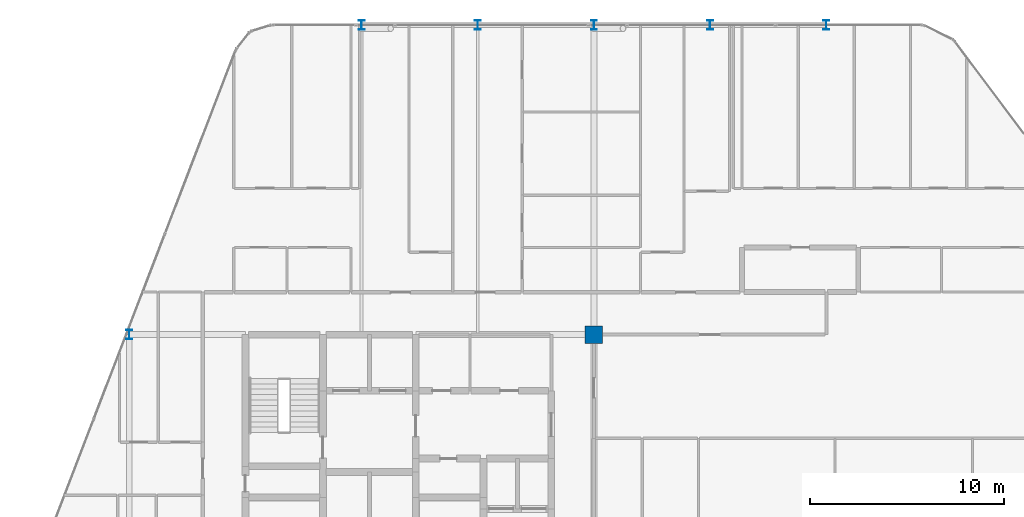
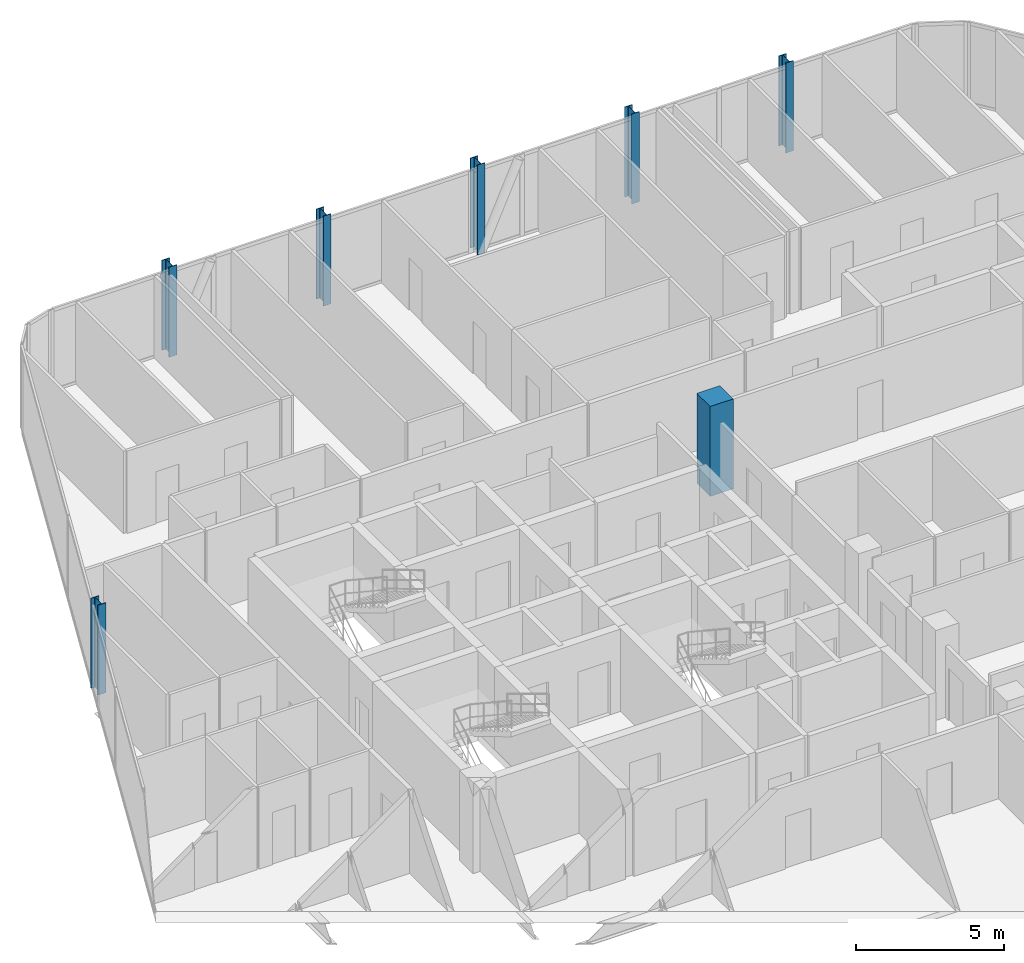
# One storey, part 3 of 31: 7 columns.
"""IFC4 building model written with IfcOpenShell, lengths in metres."""

from ifc_helpers import new_model, si_unit, direction, frame, origin, origin_2d, place, context, subcontext, project, spatial, rectangle, i_section, extrude, material, material_profile, profile_set, type_object, element, save


model = new_model("IFC4")

# Units and contexts
model_context = context("Model", 3, precision=1e-05, world=origin(), true_north=direction((0.0, 1.0)))
body_context = subcontext(model_context, "Body", "Model", "MODEL_VIEW")
ifc_project = project(units=[si_unit("LENGTHUNIT", "METRE"), si_unit("AREAUNIT", "SQUARE_METRE"), si_unit("VOLUMEUNIT", "CUBIC_METRE"), si_unit("PLANEANGLEUNIT", "RADIAN"), si_unit("MASSUNIT", "GRAM", prefix="KILO")], contexts=[model_context])

# Site, building, storey
site_placement = place(None, origin())
site = spatial("IfcSite", under=ifc_project, at=site_placement, CompositionType="ELEMENT")
building_placement = place(site_placement, origin())
building = spatial("IfcBuilding", under=site, at=building_placement, Name="Keshet Zoharim Tower", CompositionType="ELEMENT")
storey_placement = place(building_placement, frame((0.0, 0.0, 129.800048828125)))
storey = spatial("IfcBuildingStorey", under=building, at=storey_placement, Name="L31", CompositionType="ELEMENT", Elevation=129.800048828125)

# Columns
ifc_material_1 = material(Name="Steel S355", Category="steel")
ifc_material_profile_1 = material_profile(ifc_material_1, i_section(OverallWidth=0.300048828125, OverallDepth=0.5, WebThickness=0.014404296875, FlangeThickness=0.028076171875, FilletRadius=0.027099609375, at=origin_2d()), Name="HEB500")
ifc_profile_set_1 = profile_set([ifc_material_profile_1], Name="Steel S355")
column_type_1 = type_object("IfcColumnType", Name="COL-HEB500", PredefinedType="COLUMN", material=ifc_profile_set_1)
for number, where, z_axis, x_axis, name in (
    (1, (9.0, 37.89990234375, 0.0), (0.0, 0.0, 1.0), (1.0, 0.0, 0.0), "L31 Column 2H"),
    (2, (21.0, 53.89990234375, 0.0), (0.0, 0.0, 1.0), (1.0, 0.0, 0.0), "L31 Column 4L"),
    (3, (27.0, 53.89990234375, 0.0), (0.0, 0.0, 1.0), (1.0, 0.0, 0.0), "L31 Column 5L"),
    (4, (33.0, 53.89990234375, 0.0), (0.0, 0.0, 1.0), (1.0, 0.0, 0.0), "L31 Column 6L"),
    (5, (39.0, 53.89990234375, 0.0), (0.0, 0.0, 1.0), (1.0, 0.0, 0.0), "L31 Column 7L"),
    (6, (45.0, 53.89990234375, 0.0), (0.0, 0.0, 1.0), (1.0, 0.0, 0.0), "L31 Column 8L"),
):
    element("IfcColumn", number, at=place(storey_placement, frame(where, z_axis=z_axis, x_axis=x_axis)), inside=storey, type_object=column_type_1, Name=name, PredefinedType="COLUMN", context=body_context, shape_type="SweptSolid", body=[
        extrude(i_section(OverallWidth=0.300048828125, OverallDepth=0.5, WebThickness=0.014404296875, FlangeThickness=0.028076171875, FilletRadius=0.027099609375, at=origin_2d()), origin(), (0.0, 0.0, 1.0), 3.699951171875),
    ])
ifc_material_2 = material(Name="Concrete C60/75", Category="concrete")
ifc_material_profile_2 = material_profile(ifc_material_2, rectangle(XDim=0.89990234375, YDim=0.89990234375, at=origin_2d()), Name="RC900x900")
ifc_profile_set_2 = profile_set([ifc_material_profile_2], Name="Concrete C60/75")
column_type_2 = type_object("IfcColumnType", Name="COL-RC900", PredefinedType="COLUMN", material=ifc_profile_set_2)
column_placement = place(storey_placement, frame((33.0, 37.89990234375, 0.0), z_axis=(0.0, 0.0, 1.0), x_axis=(1.0, 0.0, 0.0)))
element("IfcColumn", 7, at=column_placement, inside=storey, type_object=column_type_2, Name="L31 Column 6H", PredefinedType="COLUMN", context=body_context, shape_type="SweptSolid", body=[
    extrude(rectangle(XDim=0.89990234375, YDim=0.89990234375, at=origin_2d()), origin(), (0.0, 0.0, 1.0), 3.699951171875),
])

save(model, "model.ifc")
